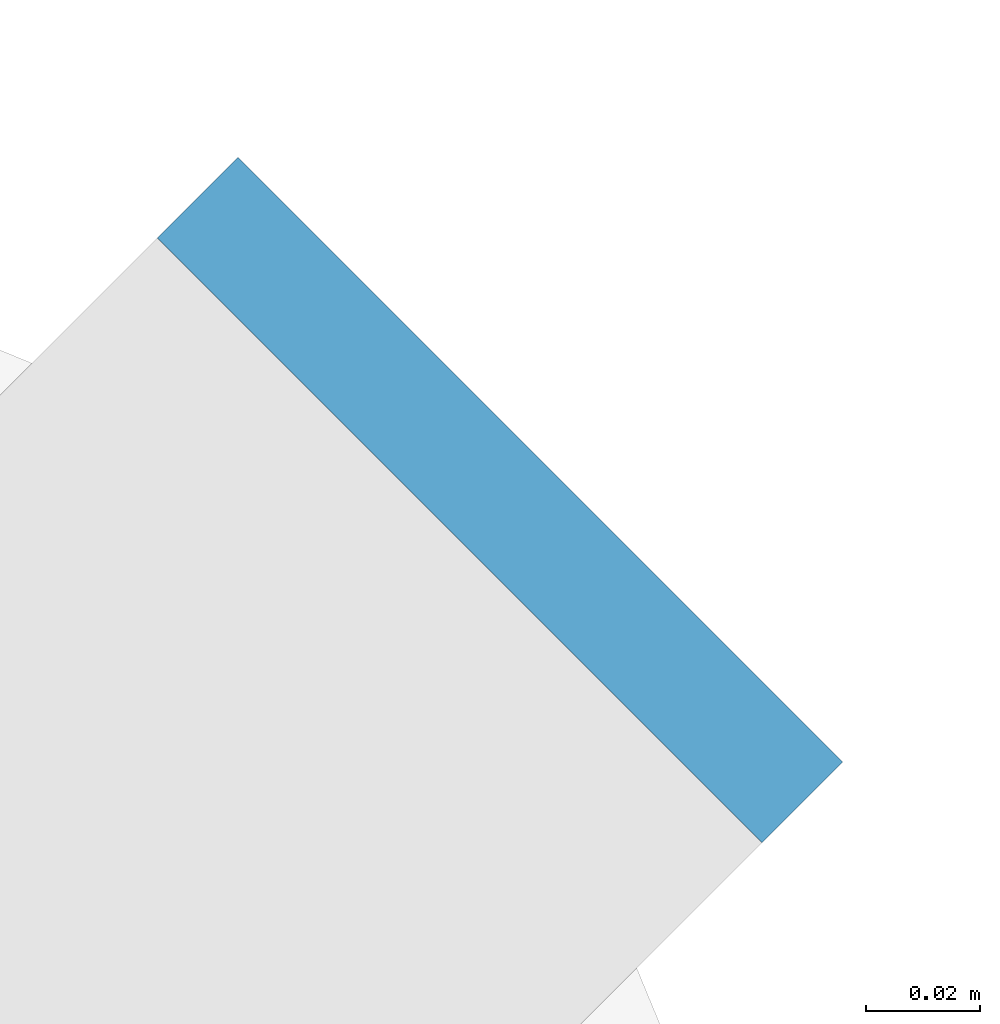
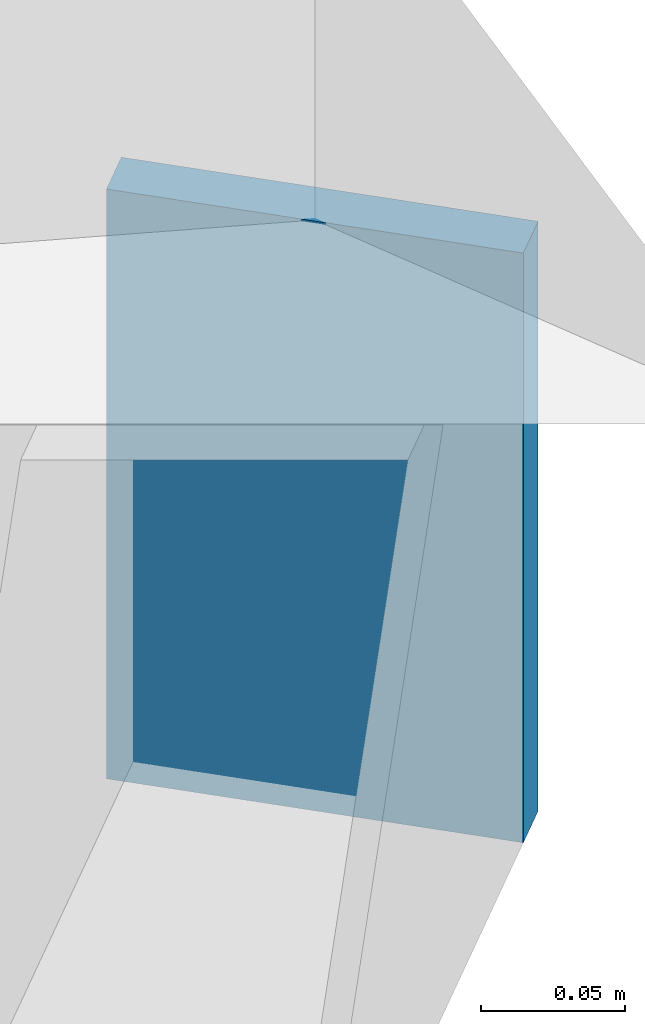
# One storey, part 20 of 30: 1 discrete accessory.
"""IFC4 building model written with IfcOpenShell, lengths in metres."""

from ifc_helpers import new_model, si_unit, direction, frame, origin, origin_2d, place, context, subcontext, project, spatial, rectangle, extrude, material, layer, layer_set, type_object, element, save


model = new_model("IFC4")

# Units and contexts
model_context = context("Model", 3, precision=1e-05, world=origin(), true_north=direction((0.0, 1.0)))
body_context = subcontext(model_context, "Body", "Model", "MODEL_VIEW")
ifc_project = project(units=[si_unit("LENGTHUNIT", "METRE"), si_unit("AREAUNIT", "SQUARE_METRE"), si_unit("VOLUMEUNIT", "CUBIC_METRE"), si_unit("PLANEANGLEUNIT", "RADIAN"), si_unit("MASSUNIT", "GRAM", prefix="KILO")], contexts=[model_context])

# Site, building, storey
site_placement = place(None, origin())
site = spatial("IfcSite", under=ifc_project, at=site_placement, CompositionType="ELEMENT")
building_placement = place(site_placement, origin())
building = spatial("IfcBuilding", under=site, at=building_placement, Name="Siwar Civic Tower", CompositionType="ELEMENT")
storey_placement = place(building_placement, frame((0.0, 0.0, 62.699951171875)))
storey = spatial("IfcBuildingStorey", under=building, at=storey_placement, Name="L13", CompositionType="ELEMENT", Elevation=62.699951171875)

# Discrete accessory
ifc_material = material(Name="Steel S355", Category="steel")
ifc_layer = layer(ifc_material, 0.02001953125)
ifc_layer_set = layer_set([ifc_layer], Name="Steel S355")
discrete_accessory_type = type_object("IfcDiscreteAccessoryType", Name="STR-END-CAP", PredefinedType="USERDEFINED", material=ifc_layer_set)
discrete_accessory_placement = place(storey_placement, frame((30.478271484375, 30.478271484375, -0.39990234375), z_axis=(0.0, 0.0, 1.0), x_axis=(0.707106781187, 0.707106781187, 0.0)))
element("IfcDiscreteAccessory", 1, at=discrete_accessory_placement, inside=storey, type_object=discrete_accessory_type, Name="End cap plate Balcony cantilever beam NE 2", ObjectType="END CAP PLATE", PredefinedType="USERDEFINED", context=body_context, shape_type="SweptSolid", body=[
    extrude(rectangle(XDim=0.02001953125, YDim=0.14990234375, at=origin_2d()), origin(), (0.0, 0.0, 1.0), 0.25),
])

save(model, "model.ifc")
